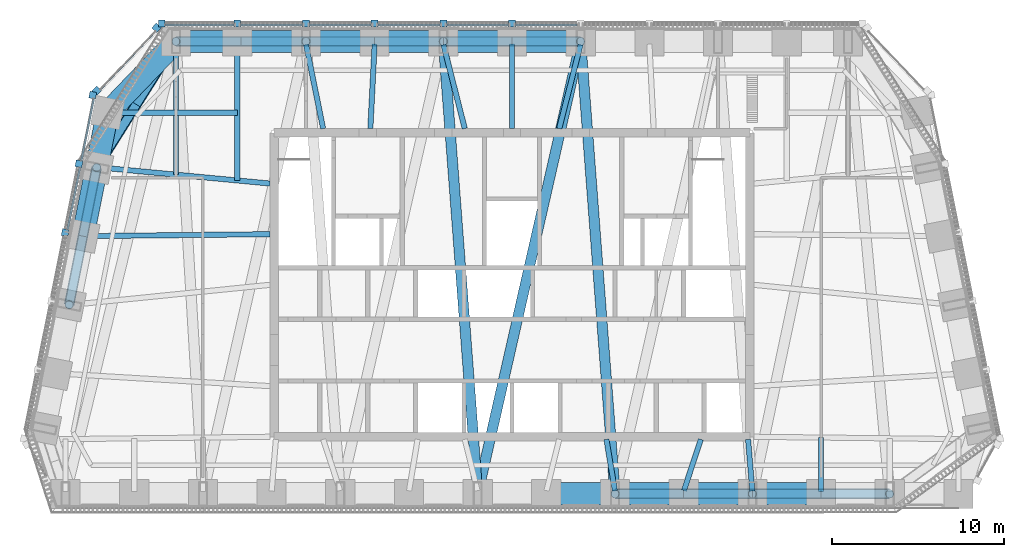
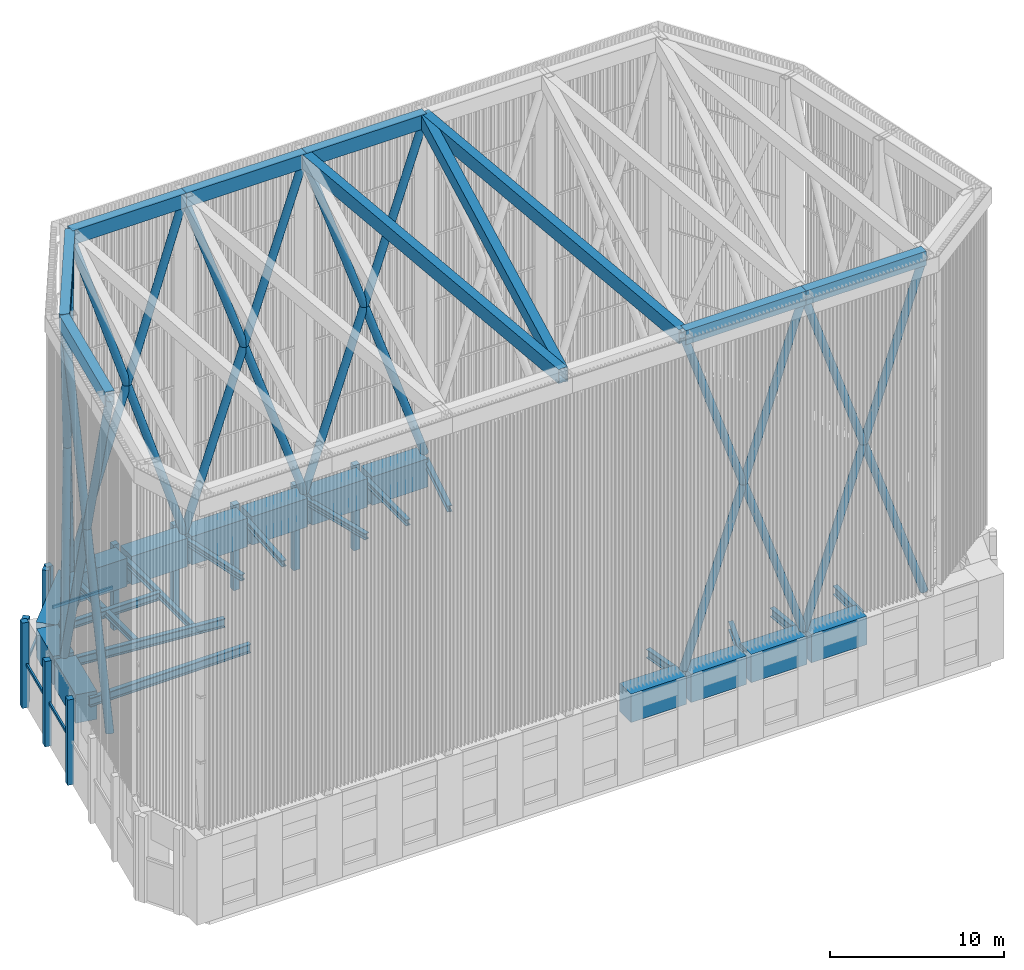
# One storey, part 2 of 15: 44 members, 27 beams, 3 elements without a shape of their own.
"""IFC4 building model written with IfcOpenShell, lengths in metres."""

from ifc_helpers import new_model, si_unit, direction, frame, origin, origin_2d, place, context, subcontext, project, spatial, rectangle, hollow_rectangle, hollow_circle, i_section, extrude, material, material_profile, profile_set, type_object, element, aggregate, save


model = new_model("IFC4")

# Units and contexts
model_context = context("Model", 3, precision=1e-05, world=origin(), true_north=direction((0.0, 1.0)))
body_context = subcontext(model_context, "Body", "Model", "MODEL_VIEW")
ifc_project = project(units=[si_unit("LENGTHUNIT", "METRE"), si_unit("AREAUNIT", "SQUARE_METRE"), si_unit("VOLUMEUNIT", "CUBIC_METRE"), si_unit("PLANEANGLEUNIT", "RADIAN"), si_unit("MASSUNIT", "GRAM", prefix="KILO")], contexts=[model_context])

# Site, building, storey
site_placement = place(None, origin())
site = spatial("IfcSite", under=ifc_project, at=site_placement, CompositionType="ELEMENT")
building_placement = place(site_placement, origin())
building = spatial("IfcBuilding", under=site, at=building_placement, Name="Isbrekke Arena Tower", CompositionType="ELEMENT")
storey_placement = place(building_placement, frame((0.0, 0.0, 324.0)))
storey = spatial("IfcBuildingStorey", under=building, at=storey_placement, Name="L76", CompositionType="ELEMENT", Elevation=324.0)

# Beams
ifc_material_1 = material(Name="Steel S355", Category="steel")
ifc_material_profile_1 = material_profile(ifc_material_1, i_section(OverallWidth=0.304931640625, OverallDepth=0.6201171875, WebThickness=0.02099609375, FlangeThickness=0.0400390625, FilletRadius=0.027099609375, at=origin_2d()), Name="HEM 600")
ifc_profile_set_1 = profile_set([ifc_material_profile_1], Name="Steel S355")
beam_type_1 = type_object("IfcBeamType", Name="B4 HEM 600", PredefinedType="BEAM", material=ifc_profile_set_1)
beam_1_placement = place(storey_placement, frame((5.995849609375, 2.99951171875, 5.43994140625), z_axis=(-0.163044952053, 0.986618641426, 0.0), x_axis=(-0.986618641426, -0.163044952053, 0.0)))
element("IfcBeam", 1, at=beam_1_placement, inside=storey, type_object=beam_type_1, Name="B4 beam C-S09 L76", PredefinedType="BEAM", context=body_context, shape_type="SweptSolid", body=[
    extrude(i_section(OverallWidth=0.304931640625, OverallDepth=0.6201171875, WebThickness=0.02099609375, FlangeThickness=0.0400390625, FilletRadius=0.027099609375, at=origin_2d()), origin(), (0.0, 0.0, 1.0), 3.041259765625),
])
beam_2_placement = place(storey_placement, frame((10.01513671875, 3.0205078125, 5.43994140625), z_axis=(0.313846083605, 0.949473873156, 0.0), x_axis=(-0.949473873156, 0.313846083605, 0.0)))
element("IfcBeam", 2, at=beam_2_placement, inside=storey, type_object=beam_type_1, Name="B4 beam C-S10 L76", PredefinedType="BEAM", context=body_context, shape_type="SweptSolid", body=[
    extrude(i_section(OverallWidth=0.304931640625, OverallDepth=0.6201171875, WebThickness=0.02099609375, FlangeThickness=0.0400390625, FilletRadius=0.027099609375, at=origin_2d()), origin(), (0.0, 0.0, 1.0), 3.137939453125),
])
beam_3_placement = place(storey_placement, frame((13.9990234375, 2.987548828125, 5.43994140625), z_axis=(-0.082383718089, 0.996600683822, 0.0), x_axis=(-0.996600683822, -0.082383718089, 0.0)))
element("IfcBeam", 3, at=beam_3_placement, inside=storey, type_object=beam_type_1, Name="B4 beam C-S11 L76", PredefinedType="BEAM", context=body_context, shape_type="SweptSolid", body=[
    extrude(i_section(OverallWidth=0.304931640625, OverallDepth=0.6201171875, WebThickness=0.02099609375, FlangeThickness=0.0400390625, FilletRadius=0.027099609375, at=origin_2d()), origin(), (0.0, 0.0, 1.0), 3.022705078125),
])
beam_4_placement = place(storey_placement, frame((18.0, 2.97509765625, 5.43994140625), z_axis=(0.0, 1.0, 0.0), x_axis=(-1.0, 0.0, 0.0)))
element("IfcBeam", 4, at=beam_4_placement, inside=storey, type_object=beam_type_1, Name="B4 beam C-S12 L76", PredefinedType="BEAM", context=body_context, shape_type="SweptSolid", body=[
    extrude(i_section(OverallWidth=0.304931640625, OverallDepth=0.6201171875, WebThickness=0.02099609375, FlangeThickness=0.0400390625, FilletRadius=0.027099609375, at=origin_2d()), origin(), (0.0, 0.0, 1.0), 3.13037109375),
])
beam_5_placement = place(storey_placement, frame((-24.02685546875, 21.8369140625, 5.43994140625), z_axis=(0.995574576627, -0.093974796485, 0.0), x_axis=(0.093974796485, 0.995574576627, 0.0)))
element("IfcBeam", 5, at=beam_5_placement, inside=storey, type_object=beam_type_1, Name="B4 beam E-W02 L76", PredefinedType="BEAM", context=body_context, shape_type="SweptSolid", body=[
    extrude(i_section(OverallWidth=0.304931640625, OverallDepth=0.6201171875, WebThickness=0.02099609375, FlangeThickness=0.0400390625, FilletRadius=0.027099609375, at=origin_2d()), origin(), (0.0, 0.0, 1.0), 9.970947265625),
])
beam_6_placement = place(storey_placement, frame((-24.83935546875, 17.838134765625, 5.43994140625), z_axis=(0.999945800258, 0.010411366203, 0.0), x_axis=(-0.010411366203, 0.999945800258, 0.0)))
element("IfcBeam", 6, at=beam_6_placement, inside=storey, type_object=beam_type_1, Name="B4 beam E-W03 L76", PredefinedType="BEAM", context=body_context, shape_type="SweptSolid", body=[
    extrude(i_section(OverallWidth=0.304931640625, OverallDepth=0.6201171875, WebThickness=0.02099609375, FlangeThickness=0.0400390625, FilletRadius=0.027099609375, at=origin_2d()), origin(), (0.0, 0.0, 1.0), 10.73974609375),
])
ifc_material_2 = material(Name="Steel S355", Category="steel")
ifc_material_profile_2 = material_profile(ifc_material_2, i_section(OverallWidth=0.305908203125, OverallDepth=0.52392578125, WebThickness=0.02099609375, FlangeThickness=0.0400390625, FilletRadius=0.027099609375, at=origin_2d()), Name="HEM 500")
ifc_profile_set_2 = profile_set([ifc_material_profile_2], Name="Steel S355")
beam_type_2 = type_object("IfcBeamType", Name="B5 HEM 500", PredefinedType="BEAM", material=ifc_profile_set_2)
beam_7_placement = place(storey_placement, frame((-23.40283203125, 25.029296875, 5.488037109375), z_axis=(1.0, 0.0, 0.0), x_axis=(0.0, 1.0, 0.0)))
element("IfcBeam", 7, at=beam_7_placement, inside=storey, type_object=beam_type_2, Name="B5 beam E-W01 L76", PredefinedType="BEAM", context=body_context, shape_type="SweptSolid", body=[
    extrude(i_section(OverallWidth=0.305908203125, OverallDepth=0.52392578125, WebThickness=0.02099609375, FlangeThickness=0.0400390625, FilletRadius=0.027099609375, at=origin_2d()), origin(), (0.0, 0.0, 1.0), 7.40283203125),
])
ifc_material_3 = material(Name="Steel S355", Category="steel")
ifc_material_profile_3 = material_profile(ifc_material_3, i_section(OverallWidth=0.306884765625, OverallDepth=0.431884765625, WebThickness=0.02099609375, FlangeThickness=0.0400390625, FilletRadius=0.027099609375, at=origin_2d()), Name="HEM 400")
ifc_profile_set_3 = profile_set([ifc_material_profile_3], Name="Steel S355")
beam_type_3 = type_object("IfcBeamType", Name="B6 HEM 400", PredefinedType="BEAM", material=ifc_profile_set_3)
beam_8_placement = place(storey_placement, frame((-16.0, 29.02490234375, 5.533935546875), z_axis=(0.0, -1.0, 0.0), x_axis=(1.0, 0.0, 0.0)))
element("IfcBeam", 8, at=beam_8_placement, inside=storey, type_object=beam_type_3, Name="B6 beam N-N10 L76", PredefinedType="BEAM", context=body_context, shape_type="SweptSolid", body=[
    extrude(i_section(OverallWidth=0.306884765625, OverallDepth=0.431884765625, WebThickness=0.02099609375, FlangeThickness=0.0400390625, FilletRadius=0.027099609375, at=origin_2d()), origin(), (0.0, 0.0, 1.0), 7.945556640625),
])
beam_9_placement = place(storey_placement, frame((-19.574951171875, 29.02490234375, 5.533935546875), z_axis=(0.0, -1.0, 0.0), x_axis=(1.0, 0.0, 0.0)))
element("IfcBeam", 9, at=beam_9_placement, inside=storey, type_object=beam_type_3, Name="B6 beam N-N11 L76", PredefinedType="BEAM", context=body_context, shape_type="SweptSolid", body=[
    extrude(i_section(OverallWidth=0.306884765625, OverallDepth=0.431884765625, WebThickness=0.02099609375, FlangeThickness=0.0400390625, FilletRadius=0.027099609375, at=origin_2d()), origin(), (0.0, 0.0, 1.0), 7.608154296875),
])
beam_10_placement = place(storey_placement, frame((3.99072265625, 28.98828125, 5.533935546875), z_axis=(-0.246019579109, -0.969264858898, 0.0), x_axis=(0.969264858898, -0.246019579109, 0.0)))
element("IfcBeam", 10, at=beam_10_placement, inside=storey, type_object=beam_type_3, Name="B6 beam N-N05 L76", PredefinedType="BEAM", context=body_context, shape_type="SweptSolid", body=[
    extrude(i_section(OverallWidth=0.306884765625, OverallDepth=0.431884765625, WebThickness=0.02099609375, FlangeThickness=0.0400390625, FilletRadius=0.027099609375, at=origin_2d()), origin(), (0.0, 0.0, 1.0), 5.043212890625),
])
beam_11_placement = place(storey_placement, frame((0.0, 29.02490234375, 5.533935546875), z_axis=(0.0, -1.0, 0.0), x_axis=(1.0, 0.0, 0.0)))
element("IfcBeam", 11, at=beam_11_placement, inside=storey, type_object=beam_type_3, Name="B6 beam N-N06 L76", PredefinedType="BEAM", context=body_context, shape_type="SweptSolid", body=[
    extrude(i_section(OverallWidth=0.306884765625, OverallDepth=0.431884765625, WebThickness=0.02099609375, FlangeThickness=0.0400390625, FilletRadius=0.027099609375, at=origin_2d()), origin(), (0.0, 0.0, 1.0), 4.9248046875),
])
beam_12_placement = place(storey_placement, frame((-3.99072265625, 28.98828125, 5.533935546875), z_axis=(0.246019579109, -0.969264858898, 0.0), x_axis=(0.969264858898, 0.246019579109, 0.0)))
element("IfcBeam", 12, at=beam_12_placement, inside=storey, type_object=beam_type_3, Name="B6 beam N-N07 L76", PredefinedType="BEAM", context=body_context, shape_type="SweptSolid", body=[
    extrude(i_section(OverallWidth=0.306884765625, OverallDepth=0.431884765625, WebThickness=0.02099609375, FlangeThickness=0.0400390625, FilletRadius=0.027099609375, at=origin_2d()), origin(), (0.0, 0.0, 1.0), 5.043212890625),
])
beam_13_placement = place(storey_placement, frame((-8.00048828125, 29.017333984375, 5.533935546875), z_axis=(-0.050677067868, -0.998715091902, 0.0), x_axis=(0.998715091902, -0.050677067868, 0.0)))
element("IfcBeam", 13, at=beam_13_placement, inside=storey, type_object=beam_type_3, Name="B6 beam N-N08 L76", PredefinedType="BEAM", context=body_context, shape_type="SweptSolid", body=[
    extrude(i_section(OverallWidth=0.306884765625, OverallDepth=0.431884765625, WebThickness=0.02099609375, FlangeThickness=0.0400390625, FilletRadius=0.027099609375, at=origin_2d()), origin(), (0.0, 0.0, 1.0), 4.923583984375),
])
beam_14_placement = place(storey_placement, frame((-11.993896484375, 28.9951171875, 5.533935546875), z_axis=(0.198982177337, -0.980003108721, 0.0), x_axis=(0.980003108721, 0.198982177337, 0.0)))
element("IfcBeam", 14, at=beam_14_placement, inside=storey, type_object=beam_type_3, Name="B6 beam N-N09 L76", PredefinedType="BEAM", context=body_context, shape_type="SweptSolid", body=[
    extrude(i_section(OverallWidth=0.306884765625, OverallDepth=0.431884765625, WebThickness=0.02099609375, FlangeThickness=0.0400390625, FilletRadius=0.027099609375, at=origin_2d()), origin(), (0.0, 0.0, 1.0), 4.994873046875),
])

# Members
ifc_material_4 = material(Name="Steel S355", Category="steel")
ifc_material_profile_4 = material_profile(ifc_material_4, hollow_rectangle(XDim=0.60009765625, YDim=1.0, WallThickness=0.030029296875, at=origin_2d()), Name="BOX 600x1000x30")
ifc_profile_set_4 = profile_set([ifc_material_profile_4], Name="Steel S355")
member_type_1 = type_object("IfcMemberType", Name="CF2 CROWN FRAME CAP RING BOX 600x1000x30", PredefinedType="USERDEFINED", material=ifc_profile_set_4)
for number, where, z_axis, x_axis, name in (
    (15, (6.0, 2.824951171875, 29.5), (1.0, 0.0, 0.0), (0.0, 1.0, 0.0), "CF2 crown frame cap ring S09"),
    (16, (14.0, 2.824951171875, 29.5), (1.0, 0.0, 0.0), (0.0, 1.0, 0.0), "CF2 crown frame cap ring S11"),
    (17, (4.0, 29.175048828125, 29.5), (-1.0, 0.0, 0.0), (0.0, -1.0, 0.0), "CF2 crown frame cap ring N05"),
    (18, (-4.0, 29.175048828125, 29.5), (-1.0, 0.0, 0.0), (0.0, -1.0, 0.0), "CF2 crown frame cap ring N07"),
):
    element("IfcMember", number, at=place(storey_placement, frame(where, z_axis=z_axis, x_axis=x_axis)), inside=storey, type_object=member_type_1, Name=name, ObjectType="CROWN FRAME CAP RING", PredefinedType="USERDEFINED", context=body_context, shape_type="SweptSolid", body=[
        extrude(hollow_rectangle(XDim=0.60009765625, YDim=1.0, WallThickness=0.030029296875, at=origin_2d()), origin(), (0.0, 0.0, 1.0), 8.0),
    ])
member_1_placement = place(storey_placement, frame((-12.0, 29.175048828125, 29.5), z_axis=(-1.0, 0.0, 0.0), x_axis=(0.0, -1.0, 0.0)))
element("IfcMember", 19, at=member_1_placement, inside=storey, type_object=member_type_1, Name="CF2 crown frame cap ring N09", ObjectType="CROWN FRAME CAP RING", PredefinedType="USERDEFINED", context=body_context, shape_type="SweptSolid", body=[
    extrude(hollow_rectangle(XDim=0.60009765625, YDim=1.0, WallThickness=0.030029296875, at=origin_2d()), origin(), (0.0, 0.0, 1.0), 7.574951171875),
])
member_2_placement = place(storey_placement, frame((-19.574951171875, 29.175048828125, 29.5), z_axis=(-0.532518167412, -0.846418573388, 0.0), x_axis=(0.846418573388, -0.532518167412, 0.0)))
element("IfcMember", 20, at=member_2_placement, inside=storey, type_object=member_type_1, Name="CF2 crown frame cap ring N11", ObjectType="CROWN FRAME CAP RING", PredefinedType="USERDEFINED", context=body_context, shape_type="SweptSolid", body=[
    extrude(hollow_rectangle(XDim=0.60009765625, YDim=1.0, WallThickness=0.030029296875, at=origin_2d()), origin(), (0.0, 0.0, 1.0), 8.668212890625),
])
member_3_placement = place(storey_placement, frame((-24.19091796875, 21.838134765625, 29.5), z_axis=(-0.196127644693, -0.98057837371, 0.0), x_axis=(0.98057837371, -0.196127644693, 0.0)))
element("IfcMember", 21, at=member_3_placement, inside=storey, type_object=member_type_1, Name="CF2 crown frame cap ring W02", ObjectType="CROWN FRAME CAP RING", PredefinedType="USERDEFINED", context=body_context, shape_type="SweptSolid", body=[
    extrude(hollow_rectangle(XDim=0.60009765625, YDim=1.0, WallThickness=0.030029296875, at=origin_2d()), origin(), (0.0, 0.0, 1.0), 8.158447265625),
])
ifc_material_5 = material(Name="Steel S355", Category="steel")
ifc_material_profile_5 = material_profile(ifc_material_5, hollow_circle(Radius=0.25390625, WallThickness=0.02001953125, at=origin_2d()), Name="CHS 508x20")
ifc_profile_set_5 = profile_set([ifc_material_profile_5], Name="Steel S355")
member_type_2 = type_object("IfcMemberType", Name="CF3 CROWN FRAME BRACE CHS 508x20", PredefinedType="BRACE", material=ifc_profile_set_5)
for number, where, z_axis, x_axis, name in (
    (22, (6.0, 2.824951171875, 6.0), (0.322263797804, 0.0, 0.94664990605), (0.0, 1.0, 0.0), "CF3 crown frame brace S09 1"),
    (23, (14.0, 2.824951171875, 6.0), (-0.322263797804, 0.0, 0.94664990605), (0.0, -1.0, 0.0), "CF3 crown frame brace S09 2"),
    (24, (14.0, 2.824951171875, 6.0), (0.322263797804, 0.0, 0.94664990605), (0.0, 1.0, 0.0), "CF3 crown frame brace S11 1"),
    (25, (22.0, 2.824951171875, 6.0), (-0.322263797804, 0.0, 0.94664990605), (0.0, -1.0, 0.0), "CF3 crown frame brace S11 2"),
    (26, (4.0, 29.175048828125, 6.0), (-0.322263797804, 0.0, 0.94664990605), (0.0, -1.0, 0.0), "CF3 crown frame brace N05 1"),
    (27, (-4.0, 29.175048828125, 6.0), (0.322263797804, 0.0, 0.94664990605), (0.0, 1.0, 0.0), "CF3 crown frame brace N05 2"),
    (28, (-4.0, 29.175048828125, 6.0), (-0.322263797804, 0.0, 0.94664990605), (0.0, -1.0, 0.0), "CF3 crown frame brace N07 1"),
    (29, (-12.0, 29.175048828125, 6.0), (0.322263797804, 0.0, 0.94664990605), (0.0, 1.0, 0.0), "CF3 crown frame brace N07 2"),
):
    element("IfcMember", number, at=place(storey_placement, frame(where, z_axis=z_axis, x_axis=x_axis)), inside=storey, type_object=member_type_2, Name=name, PredefinedType="BRACE", context=body_context, shape_type="SweptSolid", body=[
        extrude(hollow_circle(Radius=0.25390625, WallThickness=0.02001953125, at=origin_2d()), origin(), (0.0, 0.0, 1.0), 24.824462890625),
    ])
for number, where, z_axis, x_axis, name in (
    (30, (-12.0, 29.175048828125, 6.0), (-0.306793895089, 0.0, 0.951775974658), (0.0, -1.0, 0.0), "CF3 crown frame brace N09 1"),
    (31, (-19.574951171875, 29.175048828125, 6.0), (0.306793895089, 0.0, 0.951775974658), (0.0, 1.0, 0.0), "CF3 crown frame brace N09 2"),
):
    element("IfcMember", number, at=place(storey_placement, frame(where, z_axis=z_axis, x_axis=x_axis)), inside=storey, type_object=member_type_2, Name=name, PredefinedType="BRACE", context=body_context, shape_type="SweptSolid", body=[
        extrude(hollow_circle(Radius=0.25390625, WallThickness=0.02001953125, at=origin_2d()), origin(), (0.0, 0.0, 1.0), 24.690673828125),
    ])
for number, where, z_axis, x_axis, name in (
    (32, (-19.574951171875, 29.175048828125, 6.0), (-0.184287025429, -0.292917633056, 0.938209759331), (0.846418573388, -0.532518167412, 0.0), "CF3 crown frame brace N11 1"),
    (33, (-24.19091796875, 21.838134765625, 6.0), (0.184287025429, 0.292917633056, 0.938209759331), (-0.846418573388, 0.532518167412, 0.0), "CF3 crown frame brace N11 2"),
):
    element("IfcMember", number, at=place(storey_placement, frame(where, z_axis=z_axis, x_axis=x_axis)), inside=storey, type_object=member_type_2, Name=name, PredefinedType="BRACE", context=body_context, shape_type="SweptSolid", body=[
        extrude(hollow_circle(Radius=0.25390625, WallThickness=0.02001953125, at=origin_2d()), origin(), (0.0, 0.0, 1.0), 25.047607421875),
    ])
for number, where, z_axis, x_axis, name in (
    (34, (-24.19091796875, 21.838134765625, 6.0), (-0.064323211237, -0.321596427497, 0.944689505773), (0.98057837371, -0.196127644693, 0.0), "CF3 crown frame brace W02 1"),
    (35, (-25.791015625, 13.838134765625, 6.0), (0.064323211237, 0.321596427497, 0.944689505773), (-0.98057837371, 0.196127644693, 0.0), "CF3 crown frame brace W02 2"),
):
    element("IfcMember", number, at=place(storey_placement, frame(where, z_axis=z_axis, x_axis=x_axis)), inside=storey, type_object=member_type_2, Name=name, PredefinedType="BRACE", context=body_context, shape_type="SweptSolid", body=[
        extrude(hollow_circle(Radius=0.25390625, WallThickness=0.02001953125, at=origin_2d()), origin(), (0.0, 0.0, 1.0), 24.8759765625),
    ])
ifc_material_6 = material(Name="Steel S355", Category="steel")
ifc_material_profile_6 = material_profile(ifc_material_6, hollow_rectangle(XDim=0.60009765625, YDim=1.0, WallThickness=0.030029296875, at=origin_2d()), Name="BOX 600x1000x30")
ifc_profile_set_6 = profile_set([ifc_material_profile_6], Name="Steel S355")
member_type_3 = type_object("IfcMemberType", Name="CF4 CROWN FRAME PLAN BRACE BOX 600x1000x30", PredefinedType="BRACE", material=ifc_profile_set_6)
member_4_placement = place(storey_placement, frame((-2.0, 2.824951171875, 29.5), z_axis=(-0.075683355324, 0.99713190187, 0.0), x_axis=(-0.99713190187, -0.075683355324, 0.0)))
element("IfcMember", 36, at=member_4_placement, inside=storey, type_object=member_type_3, Name="CF4 crown frame plan brace S07 1", PredefinedType="BRACE", context=body_context, shape_type="SweptSolid", body=[
    extrude(hollow_rectangle(XDim=0.60009765625, YDim=1.0, WallThickness=0.030029296875, at=origin_2d()), origin(), (0.0, 0.0, 1.0), 26.42578125),
])
member_5_placement = place(storey_placement, frame((-2.0, 2.824951171875, 29.5), z_axis=(0.222020143908, 0.975042078938, 0.0), x_axis=(-0.975042078938, 0.222020143908, 0.0)))
element("IfcMember", 37, at=member_5_placement, inside=storey, type_object=member_type_3, Name="CF4 crown frame plan brace S07 2", PredefinedType="BRACE", context=body_context, shape_type="SweptSolid", body=[
    extrude(hollow_rectangle(XDim=0.60009765625, YDim=1.0, WallThickness=0.030029296875, at=origin_2d()), origin(), (0.0, 0.0, 1.0), 27.024658203125),
])
member_6_placement = place(storey_placement, frame((6.0, 2.824951171875, 29.5), z_axis=(-0.075683355324, 0.99713190187, 0.0), x_axis=(-0.99713190187, -0.075683355324, 0.0)))
element("IfcMember", 38, at=member_6_placement, inside=storey, type_object=member_type_3, Name="CF4 crown frame plan brace S09 1", PredefinedType="BRACE", context=body_context, shape_type="SweptSolid", body=[
    extrude(hollow_rectangle(XDim=0.60009765625, YDim=1.0, WallThickness=0.030029296875, at=origin_2d()), origin(), (0.0, 0.0, 1.0), 26.42578125),
])

# Curtain wall, members
ifc_material_7 = material(Name="Glazed aluminium curtain wall", Category="aluminium")
curtain_wall_type = type_object("IfcCurtainWallType", Name="CWR PLANT LOUVRE WALL", PredefinedType="USERDEFINED", material=ifc_material_7)
curtain_wall_1_placement = place(storey_placement, origin())
curtain_wall_1 = element("IfcCurtainWall", 39, at=curtain_wall_1_placement, inside=storey, type_object=curtain_wall_type, Name="CWR curtain wall L76-N", ObjectType="PLANT LOUVRE WALL", PredefinedType="USERDEFINED")
ifc_material_8 = material(Name="Aluminium mullion, pale brick slip cladding", Category="masonry")
ifc_material_profile_7 = material_profile(ifc_material_8, rectangle(XDim=0.39990234375, YDim=0.39990234375, at=origin_2d()), Name="PIER 400X400")
ifc_profile_set_7 = profile_set([ifc_material_profile_7], Name="Aluminium mullion, pale brick slip cladding")
member_type_4 = type_object("IfcMemberType", Name="CWR-M PIER MULLION 400 x 400", PredefinedType="MULLION", material=ifc_profile_set_7)
member_7_placement = place(storey_placement, frame((0.0, 30.22509765625, 0.0), z_axis=(0.0, 0.0, 1.0), x_axis=(-1.0, 0.0, 0.0)))
member_7 = element("IfcMember", 40, at=member_7_placement, type_object=member_type_4, Name="CWR-M mullion 6", PredefinedType="MULLION", context=body_context, shape_type="SweptSolid", body=[
    extrude(rectangle(XDim=0.39990234375, YDim=0.39990234375, at=origin_2d()), origin(), (0.0, 0.0, 1.0), 6.0),
])
member_8_placement = place(storey_placement, frame((-4.0, 30.22509765625, 0.0), z_axis=(0.0, 0.0, 1.0), x_axis=(-1.0, 0.0, 0.0)))
member_8 = element("IfcMember", 41, at=member_8_placement, type_object=member_type_4, Name="CWR-M mullion 7", PredefinedType="MULLION", context=body_context, shape_type="SweptSolid", body=[
    extrude(rectangle(XDim=0.39990234375, YDim=0.39990234375, at=origin_2d()), origin(), (0.0, 0.0, 1.0), 6.0),
])
member_9_placement = place(storey_placement, frame((-8.0, 30.22509765625, 0.0), z_axis=(0.0, 0.0, 1.0), x_axis=(-1.0, 0.0, 0.0)))
member_9 = element("IfcMember", 42, at=member_9_placement, type_object=member_type_4, Name="CWR-M mullion 8", PredefinedType="MULLION", context=body_context, shape_type="SweptSolid", body=[
    extrude(rectangle(XDim=0.39990234375, YDim=0.39990234375, at=origin_2d()), origin(), (0.0, 0.0, 1.0), 6.0),
])
member_10_placement = place(storey_placement, frame((-12.0, 30.22509765625, 0.0), z_axis=(0.0, 0.0, 1.0), x_axis=(-1.0, 0.0, 0.0)))
member_10 = element("IfcMember", 43, at=member_10_placement, type_object=member_type_4, Name="CWR-M mullion 9", PredefinedType="MULLION", context=body_context, shape_type="SweptSolid", body=[
    extrude(rectangle(XDim=0.39990234375, YDim=0.39990234375, at=origin_2d()), origin(), (0.0, 0.0, 1.0), 6.0),
])
member_11_placement = place(storey_placement, frame((-16.0, 30.22509765625, 0.0), z_axis=(0.0, 0.0, 1.0), x_axis=(-1.0, 0.0, 0.0)))
member_11 = element("IfcMember", 44, at=member_11_placement, type_object=member_type_4, Name="CWR-M mullion 10", PredefinedType="MULLION", context=body_context, shape_type="SweptSolid", body=[
    extrude(rectangle(XDim=0.39990234375, YDim=0.39990234375, at=origin_2d()), origin(), (0.0, 0.0, 1.0), 6.0),
])
member_12_placement = place(storey_placement, frame((-20.39990234375, 30.22509765625, 0.0), z_axis=(0.0, 0.0, 1.0), x_axis=(-1.0, 0.0, 0.0)))
member_12 = element("IfcMember", 45, at=member_12_placement, type_object=member_type_4, Name="CWR-M mullion 11", PredefinedType="MULLION", context=body_context, shape_type="SweptSolid", body=[
    extrude(rectangle(XDim=0.39990234375, YDim=0.39990234375, at=origin_2d()), origin(), (0.0, 0.0, 1.0), 6.0),
])

curtain_wall_2_placement = place(storey_placement, origin())
curtain_wall_2 = element("IfcCurtainWall", 46, at=curtain_wall_2_placement, inside=storey, type_object=curtain_wall_type, Name="CWR curtain wall L76-NW", ObjectType="PLANT LOUVRE WALL", PredefinedType="USERDEFINED")
member_13_placement = place(storey_placement, frame((-20.70556640625, 29.96875, 0.0), z_axis=(0.0, 0.0, 1.0), x_axis=(-0.68874946192, -0.72499943359, 0.0)))
member_13 = element("IfcMember", 47, at=member_13_placement, type_object=member_type_4, Name="CWR-M mullion 1", PredefinedType="MULLION", context=body_context, shape_type="SweptSolid", body=[
    extrude(rectangle(XDim=0.39990234375, YDim=0.39990234375, at=origin_2d()), origin(), (0.0, 0.0, 1.0), 6.0),
])
member_14_placement = place(storey_placement, frame((-24.188720703125, 26.30224609375, 0.0), z_axis=(0.0, 0.0, 1.0), x_axis=(-0.68874946192, -0.72499943359, 0.0)))
member_14 = element("IfcMember", 48, at=member_14_placement, type_object=member_type_4, Name="CWR-M mullion 2", PredefinedType="MULLION", context=body_context, shape_type="SweptSolid", body=[
    extrude(rectangle(XDim=0.39990234375, YDim=0.39990234375, at=origin_2d()), origin(), (0.0, 0.0, 1.0), 6.0),
])

curtain_wall_3_placement = place(storey_placement, origin())
curtain_wall_3 = element("IfcCurtainWall", 49, at=curtain_wall_3_placement, inside=storey, type_object=curtain_wall_type, Name="CWR curtain wall L76-W", ObjectType="PLANT LOUVRE WALL", PredefinedType="USERDEFINED")
member_15_placement = place(storey_placement, frame((-24.420654296875, 26.044189453125, 0.0), z_axis=(0.0, 0.0, 1.0), x_axis=(-0.196116135138, -0.980580675691, 0.0)))
member_15 = element("IfcMember", 50, at=member_15_placement, type_object=member_type_4, Name="CWR-M mullion 1", PredefinedType="MULLION", context=body_context, shape_type="SweptSolid", body=[
    extrude(rectangle(XDim=0.39990234375, YDim=0.39990234375, at=origin_2d()), origin(), (0.0, 0.0, 1.0), 6.0),
])
member_16_placement = place(storey_placement, frame((-25.220703125, 22.044189453125, 0.0), z_axis=(0.0, 0.0, 1.0), x_axis=(-0.196116135138, -0.980580675691, 0.0)))
member_16 = element("IfcMember", 51, at=member_16_placement, type_object=member_type_4, Name="CWR-M mullion 2", PredefinedType="MULLION", context=body_context, shape_type="SweptSolid", body=[
    extrude(rectangle(XDim=0.39990234375, YDim=0.39990234375, at=origin_2d()), origin(), (0.0, 0.0, 1.0), 6.0),
])
member_17_placement = place(storey_placement, frame((-26.020751953125, 18.044189453125, 0.0), z_axis=(0.0, 0.0, 1.0), x_axis=(-0.196116135138, -0.980580675691, 0.0)))
member_17 = element("IfcMember", 52, at=member_17_placement, type_object=member_type_4, Name="CWR-M mullion 3", PredefinedType="MULLION", context=body_context, shape_type="SweptSolid", body=[
    extrude(rectangle(XDim=0.39990234375, YDim=0.39990234375, at=origin_2d()), origin(), (0.0, 0.0, 1.0), 6.0),
])

# Member
ifc_material_9 = material(Name="Aluminium transom", Category="aluminium")
ifc_material_profile_8 = material_profile(ifc_material_9, rectangle(XDim=0.1201171875, YDim=0.199951171875, at=origin_2d()), Name="TRANSOM 120X200")
ifc_profile_set_8 = profile_set([ifc_material_profile_8], Name="Aluminium transom")
member_type_5 = type_object("IfcMemberType", Name="CWR-T TRANSOM 120 x 200", PredefinedType="USERDEFINED", material=ifc_profile_set_8)
member_18_placement = place(storey_placement, frame((3.800048828125, 30.125, 3.0), z_axis=(-1.0, 0.0, 0.0), x_axis=(0.0, -1.0, 0.0)))
member_18 = element("IfcMember", 53, at=member_18_placement, type_object=member_type_5, Name="CWR-T transom 5", ObjectType="TRANSOM", PredefinedType="USERDEFINED", context=body_context, shape_type="SweptSolid", body=[
    extrude(rectangle(XDim=0.1201171875, YDim=0.199951171875, at=origin_2d()), origin(), (0.0, 0.0, 1.0), 3.60009765625),
])

member_19_placement = place(storey_placement, frame((-0.199951171875, 30.125, 3.0), z_axis=(-1.0, 0.0, 0.0), x_axis=(0.0, -1.0, 0.0)))
member_19 = element("IfcMember", 54, at=member_19_placement, type_object=member_type_5, Name="CWR-T transom 6", ObjectType="TRANSOM", PredefinedType="USERDEFINED", context=body_context, shape_type="SweptSolid", body=[
    extrude(rectangle(XDim=0.1201171875, YDim=0.199951171875, at=origin_2d()), origin(), (0.0, 0.0, 1.0), 3.60009765625),
])

member_20_placement = place(storey_placement, frame((-4.199951171875, 30.125, 3.0), z_axis=(-1.0, 0.0, 0.0), x_axis=(0.0, -1.0, 0.0)))
member_20 = element("IfcMember", 55, at=member_20_placement, type_object=member_type_5, Name="CWR-T transom 7", ObjectType="TRANSOM", PredefinedType="USERDEFINED", context=body_context, shape_type="SweptSolid", body=[
    extrude(rectangle(XDim=0.1201171875, YDim=0.199951171875, at=origin_2d()), origin(), (0.0, 0.0, 1.0), 3.60009765625),
])

member_21_placement = place(storey_placement, frame((-8.199951171875, 30.125, 3.0), z_axis=(-1.0, 0.0, 0.0), x_axis=(0.0, -1.0, 0.0)))
member_21 = element("IfcMember", 56, at=member_21_placement, type_object=member_type_5, Name="CWR-T transom 8", ObjectType="TRANSOM", PredefinedType="USERDEFINED", context=body_context, shape_type="SweptSolid", body=[
    extrude(rectangle(XDim=0.1201171875, YDim=0.199951171875, at=origin_2d()), origin(), (0.0, 0.0, 1.0), 3.60009765625),
])

member_22_placement = place(storey_placement, frame((-12.199951171875, 30.125, 3.0), z_axis=(-1.0, 0.0, 0.0), x_axis=(0.0, -1.0, 0.0)))
member_22 = element("IfcMember", 57, at=member_22_placement, type_object=member_type_5, Name="CWR-T transom 9", ObjectType="TRANSOM", PredefinedType="USERDEFINED", context=body_context, shape_type="SweptSolid", body=[
    extrude(rectangle(XDim=0.1201171875, YDim=0.199951171875, at=origin_2d()), origin(), (0.0, 0.0, 1.0), 3.60009765625),
])

member_23_placement = place(storey_placement, frame((-16.199951171875, 30.125, 3.0), z_axis=(-1.0, 0.0, 0.0), x_axis=(0.0, -1.0, 0.0)))
member_23 = element("IfcMember", 58, at=member_23_placement, type_object=member_type_5, Name="CWR-T transom 10", ObjectType="TRANSOM", PredefinedType="USERDEFINED", context=body_context, shape_type="SweptSolid", body=[
    extrude(rectangle(XDim=0.1201171875, YDim=0.199951171875, at=origin_2d()), origin(), (0.0, 0.0, 1.0), 4.0),
])

aggregate(curtain_wall_1, [member_7, member_8, member_9, member_10, member_11, member_12, member_18, member_19, member_20, member_21, member_22, member_23])

member_24_placement = place(storey_placement, frame((-20.770751953125, 29.7548828125, 3.0), z_axis=(-0.688763238737, -0.724986345364, 0.0), x_axis=(0.724986345364, -0.688763238737, 0.0)))
member_24 = element("IfcMember", 59, at=member_24_placement, type_object=member_type_5, Name="CWR-T transom 1", ObjectType="TRANSOM", PredefinedType="USERDEFINED", context=body_context, shape_type="SweptSolid", body=[
    extrude(rectangle(XDim=0.1201171875, YDim=0.199951171875, at=origin_2d()), origin(), (0.0, 0.0, 1.0), 4.6572265625),
])

aggregate(curtain_wall_2, [member_13, member_14, member_24])

member_25_placement = place(storey_placement, frame((-24.36181640625, 25.828369140625, 3.0), z_axis=(-0.19609061241, -0.980585779891, 0.0), x_axis=(0.980585779891, -0.19609061241, 0.0)))
member_25 = element("IfcMember", 60, at=member_25_placement, type_object=member_type_5, Name="CWR-T transom 1", ObjectType="TRANSOM", PredefinedType="USERDEFINED", context=body_context, shape_type="SweptSolid", body=[
    extrude(rectangle(XDim=0.1201171875, YDim=0.199951171875, at=origin_2d()), origin(), (0.0, 0.0, 1.0), 3.67919921875),
])

member_26_placement = place(storey_placement, frame((-25.161865234375, 21.828369140625, 3.0), z_axis=(-0.19609061241, -0.980585779891, 0.0), x_axis=(0.980585779891, -0.19609061241, 0.0)))
member_26 = element("IfcMember", 61, at=member_26_placement, type_object=member_type_5, Name="CWR-T transom 2", ObjectType="TRANSOM", PredefinedType="USERDEFINED", context=body_context, shape_type="SweptSolid", body=[
    extrude(rectangle(XDim=0.1201171875, YDim=0.199951171875, at=origin_2d()), origin(), (0.0, 0.0, 1.0), 3.67919921875),
])

aggregate(curtain_wall_3, [member_15, member_16, member_17, member_25, member_26])

# Beams
ifc_material_10 = material(Name="Concrete B55 (C55/67)", Category="concrete")
ifc_material_profile_9 = material_profile(ifc_material_10, rectangle(XDim=1.300048828125, YDim=2.0, at=origin_2d()), Name="RC 1300x2000")
ifc_profile_set_9 = profile_set([ifc_material_profile_9], Name="Concrete B55 (C55/67)")
beam_type_4 = type_object("IfcBeamType", Name="SB4 RC 1300 x 2000", PredefinedType="SPANDREL", material=ifc_profile_set_9)
for number, where, z_axis, x_axis, name in (
    (62, (2.14990234375, 2.824951171875, 5.0), (1.0, 0.0, 0.0), (0.0, 1.0, 0.0), "SB4 spandrel S08-S09 L76"),
    (63, (6.14990234375, 2.824951171875, 5.0), (1.0, 0.0, 0.0), (0.0, 1.0, 0.0), "SB4 spandrel S09-S10 L76"),
    (64, (10.14990234375, 2.824951171875, 5.0), (1.0, 0.0, 0.0), (0.0, 1.0, 0.0), "SB4 spandrel S10-S11 L76"),
    (65, (14.14990234375, 2.824951171875, 5.0), (1.0, 0.0, 0.0), (0.0, 1.0, 0.0), "SB4 spandrel S11-S12 L76"),
    (66, (3.85009765625, 29.175048828125, 5.0), (-1.0, 0.0, 0.0), (0.0, -1.0, 0.0), "SB4 spandrel N05-N06 L76"),
    (67, (-0.14990234375, 29.175048828125, 5.0), (-1.0, 0.0, 0.0), (0.0, -1.0, 0.0), "SB4 spandrel N06-N07 L76"),
    (68, (-4.14990234375, 29.175048828125, 5.0), (-1.0, 0.0, 0.0), (0.0, -1.0, 0.0), "SB4 spandrel N07-N08 L76"),
    (69, (-8.14990234375, 29.175048828125, 5.0), (-1.0, 0.0, 0.0), (0.0, -1.0, 0.0), "SB4 spandrel N08-N09 L76"),
    (70, (-12.14990234375, 29.175048828125, 5.0), (-1.0, 0.0, 0.0), (0.0, -1.0, 0.0), "SB4 spandrel N09-N10 L76"),
):
    element("IfcBeam", number, at=place(storey_placement, frame(where, z_axis=z_axis, x_axis=x_axis)), inside=storey, type_object=beam_type_4, Name=name, PredefinedType="SPANDREL", context=body_context, shape_type="SweptSolid", body=[
        extrude(rectangle(XDim=1.300048828125, YDim=2.0, at=origin_2d()), origin(), (0.0, 0.0, 1.0), 3.7001953125),
    ])
beam_15_placement = place(storey_placement, frame((-16.14990234375, 29.175048828125, 5.0), z_axis=(-1.0, 0.0, 0.0), x_axis=(0.0, -1.0, 0.0)))
element("IfcBeam", 71, at=beam_15_placement, inside=storey, type_object=beam_type_4, Name="SB4 spandrel N10-N11 L76", PredefinedType="SPANDREL", context=body_context, shape_type="SweptSolid", body=[
    extrude(rectangle(XDim=1.300048828125, YDim=2.0, at=origin_2d()), origin(), (0.0, 0.0, 1.0), 3.275146484375),
])
beam_16_placement = place(storey_placement, frame((-19.678955078125, 29.066650390625, 5.0), z_axis=(-0.692339547635, -0.721571861134, 0.0), x_axis=(0.721571861134, -0.692339547635, 0.0)))
element("IfcBeam", 72, at=beam_16_placement, inside=storey, type_object=beam_type_4, Name="SB4 spandrel N11-W01 L76", PredefinedType="SPANDREL", context=body_context, shape_type="SweptSolid", body=[
    extrude(rectangle(XDim=1.300048828125, YDim=2.0, at=origin_2d()), origin(), (0.0, 0.0, 1.0), 5.4453125),
])
beam_17_placement = place(storey_placement, frame((-23.582275390625, 24.882080078125, 5.0), z_axis=(-0.196116135138, -0.980580675691, 0.0), x_axis=(0.980580675691, -0.196116135138, 0.0)))
element("IfcBeam", 73, at=beam_17_placement, inside=storey, type_object=beam_type_4, Name="SB4 spandrel W01-W02 L76", PredefinedType="SPANDREL", context=body_context, shape_type="SweptSolid", body=[
    extrude(rectangle(XDim=1.300048828125, YDim=2.0, at=origin_2d()), origin(), (0.0, 0.0, 1.0), 2.9541015625),
])
beam_18_placement = place(storey_placement, frame((-24.220458984375, 21.691162109375, 5.0), z_axis=(-0.196128558387, -0.980578190959, 0.0), x_axis=(0.980578190959, -0.196128558387, 0.0)))
element("IfcBeam", 74, at=beam_18_placement, inside=storey, type_object=beam_type_4, Name="SB4 spandrel W02-W03 L76", PredefinedType="SPANDREL", context=body_context, shape_type="SweptSolid", body=[
    extrude(rectangle(XDim=1.300048828125, YDim=2.0, at=origin_2d()), origin(), (0.0, 0.0, 1.0), 3.779296875),
])

save(model, "model.ifc")
